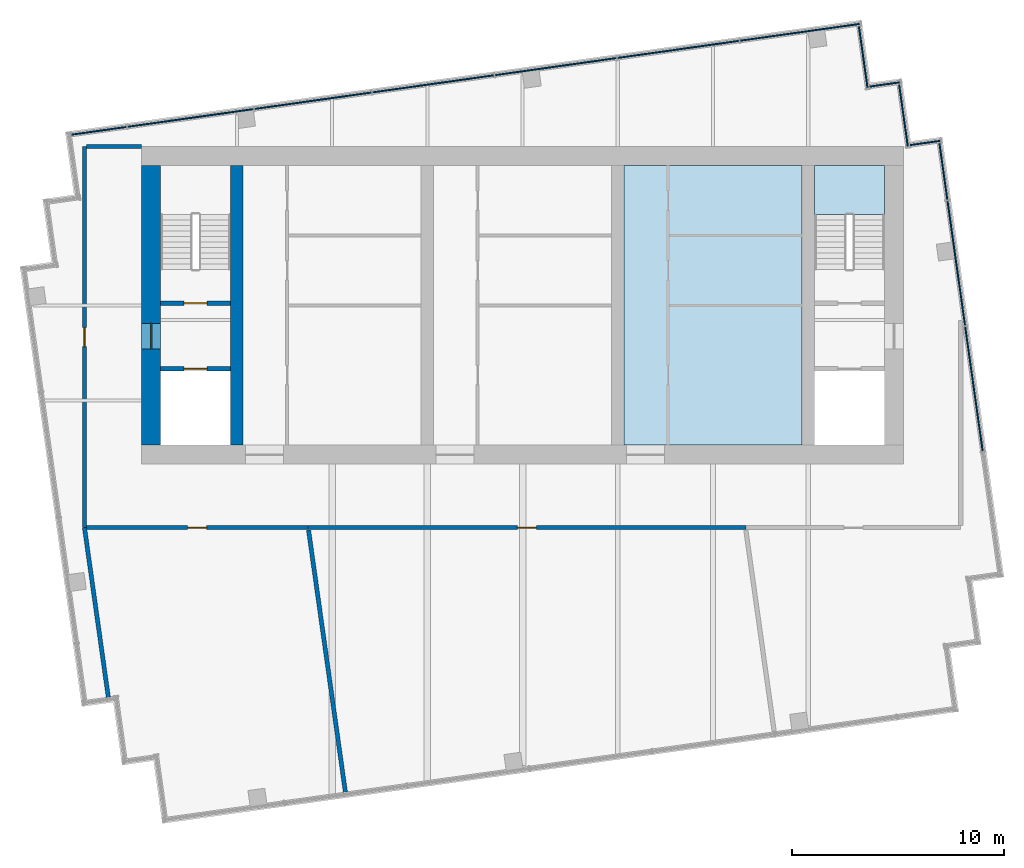
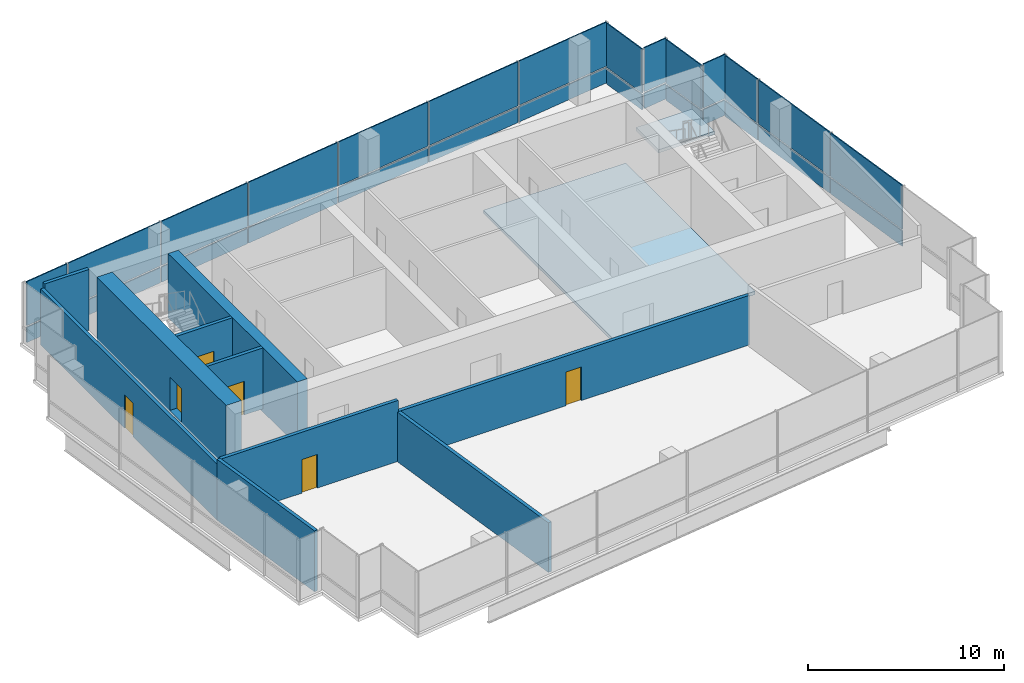
# One storey, part 7 of 9: 28 plates, 10 walls, 6 doors, 2 slabs, 6 openings, 7 elements without a shape of their own.
"""IFC4 building model written with IfcOpenShell, lengths in metres."""

from ifc_helpers import new_model, si_unit, direction, frame, frame_2d, origin, origin_2d, place, context, subcontext, project, spatial, polyline, rectangle, outline, extrude, material, layer, layer_set, type_object, element, fill, aggregate, save


model = new_model("IFC4")

# Units and contexts
model_context = context("Model", 3, precision=1e-05, world=origin(), true_north=direction((0.0, 1.0)))
body_context = subcontext(model_context, "Body", "Model", "MODEL_VIEW")
ifc_project = project(units=[si_unit("LENGTHUNIT", "METRE"), si_unit("AREAUNIT", "SQUARE_METRE"), si_unit("VOLUMEUNIT", "CUBIC_METRE"), si_unit("PLANEANGLEUNIT", "RADIAN"), si_unit("MASSUNIT", "GRAM", prefix="KILO")], contexts=[model_context])

# Site, building, storey
site_placement = place(None, origin())
site = spatial("IfcSite", under=ifc_project, at=site_placement, CompositionType="ELEMENT")
building_placement = place(site_placement, origin())
building = spatial("IfcBuilding", under=site, at=building_placement, Name="Rattan Terrace Tower", CompositionType="ELEMENT")
storey_placement = place(building_placement, frame((0.0, 0.0, 304.300048828125)))
storey = spatial("IfcBuildingStorey", under=building, at=storey_placement, Name="C04", CompositionType="ELEMENT", Elevation=304.300048828125)

# Stair, slab
ifc_material_1 = material(Name="Concrete C40/50", Category="concrete")
stair_type = type_object("IfcStairType", Name="Core exit stair 1500", PredefinedType="HALF_TURN_STAIR", material=ifc_material_1)
stair_placement = place(storey_placement, origin())
stair = element("IfcStair", 1, at=stair_placement, inside=storey, type_object=stair_type, Name="C04 exit stair 2", PredefinedType="HALF_TURN_STAIR")
ifc_material_2 = material(Name="Concrete C40/50", Category="concrete")
ifc_layer_1 = layer(ifc_material_2, 0.199951171875)
ifc_layer_set_1 = layer_set([ifc_layer_1], Name="Core exit stair landing")
slab_type_1 = type_object("IfcSlabType", Name="Core exit stair landing", PredefinedType="LANDING", material=ifc_layer_set_1)
slab_1_placement = place(storey_placement, frame((0.0, 0.0, 1.800048828125)))
slab_1 = element("IfcSlab", 2, at=slab_1_placement, type_object=slab_type_1, Name="S2 landing 1", PredefinedType="LANDING", context=body_context, shape_type="SweptSolid", body=[
    extrude(outline(polyline([(17.10009765625, 4.300048828125), (17.10009765625, 6.60009765625), (13.800048828125, 6.60009765625), (13.800048828125, 4.300048828125), (17.10009765625, 4.300048828125)])), origin(), (0.0, 0.0, 1.0), 0.199951171875),
])
aggregate(stair, [slab_1])

# Slab
ifc_material_3 = material(Name="Concrete C35/45", Category="concrete")
ifc_layer_2 = layer(ifc_material_3, 0.199951171875)
ifc_layer_set_2 = layer_set([ifc_layer_2], Name="Frame composite floor slab 200")
slab_type_2 = type_object("IfcSlabType", Name="Frame composite floor slab 200", PredefinedType="FLOOR", material=ifc_layer_set_2)
slab_2_placement = place(storey_placement, frame((0.0, 0.0, -0.199951171875)))
element("IfcSlab", 3, at=slab_2_placement, inside=storey, type_object=slab_type_2, Name="Floor slab", PredefinedType="FLOOR", context=body_context, shape_type="SweptSolid", body=[
    extrude(outline(polyline([(4.800048828125, -6.60009765625), (13.199951171875, -6.60009765625), (13.199951171875, 6.60009765625), (4.800048828125, 6.60009765625), (4.800048828125, -6.60009765625)])), origin(), (0.0, 0.0, 1.0), 0.199951171875),
])

# Curtain wall, plates
ifc_material_4 = material(Name="Aluminium and laminated glass", Category="aluminium")
ifc_layer_3 = layer(ifc_material_4, 0.239990234375)
ifc_layer_set_3 = layer_set([ifc_layer_3], Name="Lantern Stick Curtain Wall")
curtain_wall_type = type_object("IfcCurtainWallType", Name="Lantern Stick Curtain Wall", PredefinedType="NOTDEFINED", material=ifc_layer_set_3)
curtain_wall_1_placement = place(storey_placement, origin())
curtain_wall_1 = element("IfcCurtainWall", 4, at=curtain_wall_1_placement, inside=storey, type_object=curtain_wall_type, Name="Lantern curtain wall C04-11", PredefinedType="NOTDEFINED")
ifc_material_5 = material(Name="Laminated low-iron glass", Category="glass")
ifc_layer_4 = layer(ifc_material_5, 0.06591796875)
ifc_layer_set_4 = layer_set([ifc_layer_4], Name="Lantern CW Laminated Panel")
plate_type = type_object("IfcPlateType", Name="Lantern CW Laminated Panel", PredefinedType="CURTAIN_PANEL", material=ifc_layer_set_4)
plate_1_placement = place(storey_placement, frame((21.325927734375, -3.9482421875, 0.0), z_axis=(0.0, 0.0, 1.0), x_axis=(-0.139187707455, 0.990266015823, 0.0)))
plate_1 = element("IfcPlate", 5, at=plate_1_placement, type_object=plate_type, Name="Panel cwl-C04-011.2.1", PredefinedType="CURTAIN_PANEL", context=body_context, shape_type="SweptSolid", body=[
    extrude(rectangle(XDim=5.929931640625, YDim=0.06591796875, at=origin_2d()), origin(), (0.0, 0.0, 1.0), 0.949951171875),
])
plate_2_placement = place(storey_placement, frame((21.325927734375, -3.9482421875, 1.050048828125), z_axis=(0.0, 0.0, 1.0), x_axis=(-0.139187707455, 0.990266015823, 0.0)))
plate_2 = element("IfcPlate", 6, at=plate_2_placement, type_object=plate_type, Name="Panel cwl-C04-011.2.2", PredefinedType="CURTAIN_PANEL", context=body_context, shape_type="SweptSolid", body=[
    extrude(rectangle(XDim=5.929931640625, YDim=0.06591796875, at=origin_2d()), origin(), (0.0, 0.0, 1.0), 2.75),
])
plate_3_placement = place(storey_placement, frame((20.49072265625, 1.993408203125, 0.0), z_axis=(0.0, 0.0, 1.0), x_axis=(-0.139187707455, 0.990266015823, 0.0)))
plate_3 = element("IfcPlate", 7, at=plate_3_placement, type_object=plate_type, Name="Panel cwl-C04-011.3.1", PredefinedType="CURTAIN_PANEL", context=body_context, shape_type="SweptSolid", body=[
    extrude(rectangle(XDim=5.929931640625, YDim=0.06591796875, at=origin_2d()), origin(), (0.0, 0.0, 1.0), 0.949951171875),
])
plate_4_placement = place(storey_placement, frame((20.49072265625, 1.993408203125, 1.050048828125), z_axis=(0.0, 0.0, 1.0), x_axis=(-0.139187707455, 0.990266015823, 0.0)))
plate_4 = element("IfcPlate", 8, at=plate_4_placement, type_object=plate_type, Name="Panel cwl-C04-011.3.2", PredefinedType="CURTAIN_PANEL", context=body_context, shape_type="SweptSolid", body=[
    extrude(rectangle(XDim=5.929931640625, YDim=0.06591796875, at=origin_2d()), origin(), (0.0, 0.0, 1.0), 2.75),
])
plate_5_placement = place(storey_placement, frame((19.88232421875, 6.323486328125, 0.0), z_axis=(0.0, 0.0, 1.0), x_axis=(-0.139187707455, 0.990266015823, 0.0)))
plate_5 = element("IfcPlate", 9, at=plate_5_placement, type_object=plate_type, Name="Panel cwl-C04-011.4.1", PredefinedType="CURTAIN_PANEL", context=body_context, shape_type="SweptSolid", body=[
    extrude(rectangle(XDim=2.67529296875, YDim=0.06591796875, at=origin_2d()), origin(), (0.0, 0.0, 1.0), 0.949951171875),
])
plate_6_placement = place(storey_placement, frame((19.88232421875, 6.323486328125, 1.050048828125), z_axis=(0.0, 0.0, 1.0), x_axis=(-0.139187707455, 0.990266015823, 0.0)))
plate_6 = element("IfcPlate", 10, at=plate_6_placement, type_object=plate_type, Name="Panel cwl-C04-011.4.2", PredefinedType="CURTAIN_PANEL", context=body_context, shape_type="SweptSolid", body=[
    extrude(rectangle(XDim=2.67529296875, YDim=0.06591796875, at=origin_2d()), origin(), (0.0, 0.0, 1.0), 2.75),
])
aggregate(curtain_wall_1, [plate_1, plate_2, plate_3, plate_4, plate_5, plate_6])

curtain_wall_2_placement = place(storey_placement, origin())
curtain_wall_2 = element("IfcCurtainWall", 11, at=curtain_wall_2_placement, inside=storey, type_object=curtain_wall_type, Name="Lantern curtain wall C04-12", PredefinedType="NOTDEFINED")
plate_7_placement = place(storey_placement, frame((19.021484375, 7.67431640625, 0.0), z_axis=(0.0, 0.0, 1.0), x_axis=(-0.990227803001, -0.139459306479, 0.0)))
plate_7 = element("IfcPlate", 12, at=plate_7_placement, type_object=plate_type, Name="Panel cwl-C04-012.1.1", PredefinedType="CURTAIN_PANEL", context=body_context, shape_type="SweptSolid", body=[
    extrude(rectangle(XDim=1.428466796875, YDim=0.06591796875, at=origin_2d()), origin(), (0.0, 0.0, 1.0), 0.949951171875),
])
plate_8_placement = place(storey_placement, frame((19.021484375, 7.67431640625, 1.050048828125), z_axis=(0.0, 0.0, 1.0), x_axis=(-0.990227803001, -0.139459306479, 0.0)))
plate_8 = element("IfcPlate", 13, at=plate_8_placement, type_object=plate_type, Name="Panel cwl-C04-012.1.2", PredefinedType="CURTAIN_PANEL", context=body_context, shape_type="SweptSolid", body=[
    extrude(rectangle(XDim=1.428466796875, YDim=0.06591796875, at=origin_2d()), origin(), (0.0, 0.0, 1.0), 2.75),
])
aggregate(curtain_wall_2, [plate_7, plate_8])

curtain_wall_3_placement = place(storey_placement, origin())
curtain_wall_3 = element("IfcCurtainWall", 14, at=curtain_wall_3_placement, inside=storey, type_object=curtain_wall_type, Name="Lantern curtain wall C04-13", PredefinedType="NOTDEFINED")
plate_9_placement = place(storey_placement, frame((17.997802734375, 8.96044921875, 0.0), z_axis=(0.0, 0.0, 1.0), x_axis=(-0.139555918709, 0.990214191755, 0.0)))
plate_9 = element("IfcPlate", 15, at=plate_9_placement, type_object=plate_type, Name="Panel cwl-C04-013.1.1", PredefinedType="CURTAIN_PANEL", context=body_context, shape_type="SweptSolid", body=[
    extrude(rectangle(XDim=2.932373046875, YDim=0.06591796875, at=origin_2d()), origin(), (0.0, 0.0, 1.0), 0.949951171875),
])
plate_10_placement = place(storey_placement, frame((17.997802734375, 8.96044921875, 1.050048828125), z_axis=(0.0, 0.0, 1.0), x_axis=(-0.139555918709, 0.990214191755, 0.0)))
plate_10 = element("IfcPlate", 16, at=plate_10_placement, type_object=plate_type, Name="Panel cwl-C04-013.1.2", PredefinedType="CURTAIN_PANEL", context=body_context, shape_type="SweptSolid", body=[
    extrude(rectangle(XDim=2.932373046875, YDim=0.06591796875, at=origin_2d()), origin(), (0.0, 0.0, 1.0), 2.75),
])
aggregate(curtain_wall_3, [plate_9, plate_10])

curtain_wall_4_placement = place(storey_placement, origin())
curtain_wall_4 = element("IfcCurtainWall", 17, at=curtain_wall_4_placement, inside=storey, type_object=curtain_wall_type, Name="Lantern curtain wall C04-14", PredefinedType="NOTDEFINED")
plate_11_placement = place(storey_placement, frame((17.11865234375, 10.43896484375, 0.0), z_axis=(0.0, 0.0, 1.0), x_axis=(-0.990319742912, -0.13880492354, 0.0)))
plate_11 = element("IfcPlate", 18, at=plate_11_placement, type_object=plate_type, Name="Panel cwl-C04-014.1.1", PredefinedType="CURTAIN_PANEL", context=body_context, shape_type="SweptSolid", body=[
    extrude(rectangle(XDim=1.428466796875, YDim=0.06591796875, at=origin_2d()), origin(), (0.0, 0.0, 1.0), 0.949951171875),
])
plate_12_placement = place(storey_placement, frame((17.11865234375, 10.43896484375, 1.050048828125), z_axis=(0.0, 0.0, 1.0), x_axis=(-0.990319742912, -0.13880492354, 0.0)))
plate_12 = element("IfcPlate", 19, at=plate_12_placement, type_object=plate_type, Name="Panel cwl-C04-014.1.2", PredefinedType="CURTAIN_PANEL", context=body_context, shape_type="SweptSolid", body=[
    extrude(rectangle(XDim=1.428466796875, YDim=0.06591796875, at=origin_2d()), origin(), (0.0, 0.0, 1.0), 2.75),
])
aggregate(curtain_wall_4, [plate_11, plate_12])

curtain_wall_5_placement = place(storey_placement, origin())
curtain_wall_5 = element("IfcCurtainWall", 20, at=curtain_wall_5_placement, inside=storey, type_object=curtain_wall_type, Name="Lantern curtain wall C04-15", PredefinedType="NOTDEFINED")
plate_13_placement = place(storey_placement, frame((16.09521484375, 11.723388671875, 0.0), z_axis=(0.0, 0.0, 1.0), x_axis=(-0.139413247769, 0.990234288614, 0.0)))
plate_13 = element("IfcPlate", 21, at=plate_13_placement, type_object=plate_type, Name="Panel cwl-C04-015.1.1", PredefinedType="CURTAIN_PANEL", context=body_context, shape_type="SweptSolid", body=[
    extrude(rectangle(XDim=2.92822265625, YDim=0.06591796875, at=origin_2d()), origin(), (0.0, 0.0, 1.0), 0.949951171875),
])
plate_14_placement = place(storey_placement, frame((16.09521484375, 11.723388671875, 1.050048828125), z_axis=(0.0, 0.0, 1.0), x_axis=(-0.139413247769, 0.990234288614, 0.0)))
plate_14 = element("IfcPlate", 22, at=plate_14_placement, type_object=plate_type, Name="Panel cwl-C04-015.1.2", PredefinedType="CURTAIN_PANEL", context=body_context, shape_type="SweptSolid", body=[
    extrude(rectangle(XDim=2.92822265625, YDim=0.06591796875, at=origin_2d()), origin(), (0.0, 0.0, 1.0), 2.75),
])
aggregate(curtain_wall_5, [plate_13, plate_14])

curtain_wall_6_placement = place(storey_placement, origin())
curtain_wall_6 = element("IfcCurtainWall", 23, at=curtain_wall_6_placement, inside=storey, type_object=curtain_wall_type, Name="Lantern curtain wall C04-16", PredefinedType="NOTDEFINED")
plate_15_placement = place(storey_placement, frame((13.10595703125, 12.90283203125, 0.0), z_axis=(0.0, 0.0, 1.0), x_axis=(-0.990266952226, -0.13918104515, 0.0)))
plate_15 = element("IfcPlate", 24, at=plate_15_placement, type_object=plate_type, Name="Panel cwl-C04-016.1.1", PredefinedType="CURTAIN_PANEL", context=body_context, shape_type="SweptSolid", body=[
    extrude(rectangle(XDim=5.69091796875, YDim=0.06591796875, at=origin_2d()), origin(), (0.0, 0.0, 1.0), 0.949951171875),
])
plate_16_placement = place(storey_placement, frame((13.10595703125, 12.90283203125, 1.050048828125), z_axis=(0.0, 0.0, 1.0), x_axis=(-0.990266952226, -0.13918104515, 0.0)))
plate_16 = element("IfcPlate", 25, at=plate_16_placement, type_object=plate_type, Name="Panel cwl-C04-016.1.2", PredefinedType="CURTAIN_PANEL", context=body_context, shape_type="SweptSolid", body=[
    extrude(rectangle(XDim=5.69091796875, YDim=0.06591796875, at=origin_2d()), origin(), (0.0, 0.0, 1.0), 2.75),
])
plate_17_placement = place(storey_placement, frame((7.359130859375, 12.09521484375, 0.0), z_axis=(0.0, 0.0, 1.0), x_axis=(-0.990266952226, -0.13918104515, 0.0)))
plate_17 = element("IfcPlate", 26, at=plate_17_placement, type_object=plate_type, Name="Panel cwl-C04-016.2.1", PredefinedType="CURTAIN_PANEL", context=body_context, shape_type="SweptSolid", body=[
    extrude(rectangle(XDim=5.77587890625, YDim=0.06591796875, at=origin_2d()), origin(), (0.0, 0.0, 1.0), 0.949951171875),
])
plate_18_placement = place(storey_placement, frame((7.359130859375, 12.09521484375, 1.050048828125), z_axis=(0.0, 0.0, 1.0), x_axis=(-0.990266952226, -0.13918104515, 0.0)))
plate_18 = element("IfcPlate", 27, at=plate_18_placement, type_object=plate_type, Name="Panel cwl-C04-016.2.2", PredefinedType="CURTAIN_PANEL", context=body_context, shape_type="SweptSolid", body=[
    extrude(rectangle(XDim=5.77587890625, YDim=0.06591796875, at=origin_2d()), origin(), (0.0, 0.0, 1.0), 2.75),
])
plate_19_placement = place(storey_placement, frame((1.570068359375, 11.281494140625, 0.0), z_axis=(0.0, 0.0, 1.0), x_axis=(-0.990266952226, -0.13918104515, 0.0)))
plate_19 = element("IfcPlate", 28, at=plate_19_placement, type_object=plate_type, Name="Panel cwl-C04-016.3.1", PredefinedType="CURTAIN_PANEL", context=body_context, shape_type="SweptSolid", body=[
    extrude(rectangle(XDim=5.77587890625, YDim=0.06591796875, at=origin_2d()), origin(), (0.0, 0.0, 1.0), 0.949951171875),
])
plate_20_placement = place(storey_placement, frame((1.570068359375, 11.281494140625, 1.050048828125), z_axis=(0.0, 0.0, 1.0), x_axis=(-0.990266952226, -0.13918104515, 0.0)))
plate_20 = element("IfcPlate", 29, at=plate_20_placement, type_object=plate_type, Name="Panel cwl-C04-016.3.2", PredefinedType="CURTAIN_PANEL", context=body_context, shape_type="SweptSolid", body=[
    extrude(rectangle(XDim=5.77587890625, YDim=0.06591796875, at=origin_2d()), origin(), (0.0, 0.0, 1.0), 2.75),
])
plate_21_placement = place(storey_placement, frame((-4.21923828125, 10.4677734375, 0.0), z_axis=(0.0, 0.0, 1.0), x_axis=(-0.990266952226, -0.13918104515, 0.0)))
plate_21 = element("IfcPlate", 30, at=plate_21_placement, type_object=plate_type, Name="Panel cwl-C04-016.4.1", PredefinedType="CURTAIN_PANEL", context=body_context, shape_type="SweptSolid", body=[
    extrude(rectangle(XDim=5.77587890625, YDim=0.06591796875, at=origin_2d()), origin(), (0.0, 0.0, 1.0), 0.949951171875),
])
plate_22_placement = place(storey_placement, frame((-4.21923828125, 10.4677734375, 1.050048828125), z_axis=(0.0, 0.0, 1.0), x_axis=(-0.990266952226, -0.13918104515, 0.0)))
plate_22 = element("IfcPlate", 31, at=plate_22_placement, type_object=plate_type, Name="Panel cwl-C04-016.4.2", PredefinedType="CURTAIN_PANEL", context=body_context, shape_type="SweptSolid", body=[
    extrude(rectangle(XDim=5.77587890625, YDim=0.06591796875, at=origin_2d()), origin(), (0.0, 0.0, 1.0), 2.75),
])
plate_23_placement = place(storey_placement, frame((-9.900634765625, 9.66943359375, 0.0), z_axis=(0.0, 0.0, 1.0), x_axis=(-0.990266952226, -0.13918104515, 0.0)))
plate_23 = element("IfcPlate", 32, at=plate_23_placement, type_object=plate_type, Name="Panel cwl-C04-016.5.1", PredefinedType="CURTAIN_PANEL", context=body_context, shape_type="SweptSolid", body=[
    extrude(rectangle(XDim=5.55859375, YDim=0.06591796875, at=origin_2d()), origin(), (0.0, 0.0, 1.0), 0.949951171875),
])
plate_24_placement = place(storey_placement, frame((-9.900634765625, 9.66943359375, 1.050048828125), z_axis=(0.0, 0.0, 1.0), x_axis=(-0.990266952226, -0.13918104515, 0.0)))
plate_24 = element("IfcPlate", 33, at=plate_24_placement, type_object=plate_type, Name="Panel cwl-C04-016.5.2", PredefinedType="CURTAIN_PANEL", context=body_context, shape_type="SweptSolid", body=[
    extrude(rectangle(XDim=5.55859375, YDim=0.06591796875, at=origin_2d()), origin(), (0.0, 0.0, 1.0), 2.75),
])
plate_25_placement = place(storey_placement, frame((-15.689697265625, 8.855712890625, 0.0), z_axis=(0.0, 0.0, 1.0), x_axis=(-0.990266952226, -0.13918104515, 0.0)))
plate_25 = element("IfcPlate", 34, at=plate_25_placement, type_object=plate_type, Name="Panel cwl-C04-016.6.1", PredefinedType="CURTAIN_PANEL", context=body_context, shape_type="SweptSolid", body=[
    extrude(rectangle(XDim=5.993408203125, YDim=0.06591796875, at=origin_2d()), origin(), (0.0, 0.0, 1.0), 0.949951171875),
])
plate_26_placement = place(storey_placement, frame((-15.689697265625, 8.855712890625, 1.050048828125), z_axis=(0.0, 0.0, 1.0), x_axis=(-0.990266952226, -0.13918104515, 0.0)))
plate_26 = element("IfcPlate", 35, at=plate_26_placement, type_object=plate_type, Name="Panel cwl-C04-016.6.2", PredefinedType="CURTAIN_PANEL", context=body_context, shape_type="SweptSolid", body=[
    extrude(rectangle(XDim=5.993408203125, YDim=0.06591796875, at=origin_2d()), origin(), (0.0, 0.0, 1.0), 2.75),
])
plate_27_placement = place(storey_placement, frame((-20.013916015625, 8.248046875, 0.0), z_axis=(0.0, 0.0, 1.0), x_axis=(-0.990266952226, -0.13918104515, 0.0)))
plate_27 = element("IfcPlate", 36, at=plate_27_placement, type_object=plate_type, Name="Panel cwl-C04-016.7.1", PredefinedType="CURTAIN_PANEL", context=body_context, shape_type="SweptSolid", body=[
    extrude(rectangle(XDim=2.599853515625, YDim=0.06591796875, at=origin_2d()), origin(), (0.0, 0.0, 1.0), 0.949951171875),
])
plate_28_placement = place(storey_placement, frame((-20.013916015625, 8.248046875, 1.050048828125), z_axis=(0.0, 0.0, 1.0), x_axis=(-0.990266952226, -0.13918104515, 0.0)))
plate_28 = element("IfcPlate", 37, at=plate_28_placement, type_object=plate_type, Name="Panel cwl-C04-016.7.2", PredefinedType="CURTAIN_PANEL", context=body_context, shape_type="SweptSolid", body=[
    extrude(rectangle(XDim=2.599853515625, YDim=0.06591796875, at=origin_2d()), origin(), (0.0, 0.0, 1.0), 2.75),
])
aggregate(curtain_wall_6, [plate_15, plate_16, plate_17, plate_18, plate_19, plate_20, plate_21, plate_22, plate_23, plate_24, plate_25, plate_26, plate_27, plate_28])

# Wall, opening, door
ifc_material_6 = material(Name="Gypsum board partition")
ifc_layer_5 = layer(ifc_material_6, 0.199951171875)
ifc_layer_set_5 = layer_set([ifc_layer_5], Name="Core partition 200")
wall_type_1 = type_object("IfcWallType", Name="Core partition 200", PredefinedType="PARTITIONING", material=ifc_layer_set_5)
wall_1_placement = place(storey_placement, frame((-17.10009765625, -3.0, 0.0), z_axis=(0.0, 0.0, 1.0), x_axis=(1.0, 0.0, 0.0)))
wall_1 = element("IfcWall", 38, at=wall_1_placement, inside=storey, type_object=wall_type_1, Name="Fire-fighting lobby wall", PredefinedType="PARTITIONING", context=body_context, shape_type="SweptSolid", body=[
    extrude(rectangle(XDim=3.300048828125, YDim=0.199951171875, at=frame_2d((1.64990234375, 0.0))), origin(), (0.0, 0.0, 1.0), 3.800048828125),
])
opening_1_placement = place(wall_1_placement, frame((1.10009765625, 0.0, 0.0)))
opening_1 = element("IfcOpeningElement", 39, at=opening_1_placement, cuts=wall_1, Name="Opening C04-LD-FF1", PredefinedType="OPENING", context=body_context, shape_type="SweptSolid", body=[
    extrude(rectangle(XDim=1.10009765625, YDim=2.10009765625, at=frame_2d((0.550048828125, 1.050048828125))), frame((0.0, 0.110595703125, 0.0), z_axis=(0.0, -1.0, 0.0), x_axis=(1.0, 0.0, 0.0)), (0.0, 0.0, 1.0), 0.220947265625),
])
ifc_material_7 = material(Name="Brushed stainless landing door panel")
door_type_1 = type_object("IfcDoorType", Name="Core lift landing door 1100", OperationType="DOUBLE_DOOR_SLIDING", PredefinedType="DOOR", material=ifc_material_7)
door_1_placement = place(opening_1_placement, origin())
door_1 = element("IfcDoor", 40, at=door_1_placement, inside=storey, type_object=door_type_1, Name="Door C04-LD-FF1", OperationType="DOUBLE_DOOR_SLIDING", OverallHeight=2.10009765625, OverallWidth=1.10009765625, PredefinedType="DOOR", context=body_context, shape_type="SweptSolid", body=[
    extrude(rectangle(XDim=1.10009765625, YDim=2.10009765625, at=frame_2d((0.550048828125, 1.050048828125))), frame((0.0, 0.02490234375, 0.0), z_axis=(0.0, -1.0, 0.0), x_axis=(1.0, 0.0, 0.0)), (0.0, 0.0, 1.0), 0.050048828125),
])
fill(opening_1, door_1)

wall_2_placement = place(storey_placement, frame((-17.10009765625, 0.10009765625, 0.0), z_axis=(0.0, 0.0, 1.0), x_axis=(1.0, 0.0, 0.0)))
wall_2 = element("IfcWall", 41, at=wall_2_placement, inside=storey, type_object=wall_type_1, Name="Stair enclosure wall", PredefinedType="PARTITIONING", context=body_context, shape_type="SweptSolid", body=[
    extrude(rectangle(XDim=3.300048828125, YDim=0.199951171875, at=frame_2d((1.64990234375, 0.0))), origin(), (0.0, 0.0, 1.0), 3.800048828125),
])
opening_2_placement = place(wall_2_placement, frame((1.10009765625, 0.0, 0.0)))
opening_2 = element("IfcOpeningElement", 42, at=opening_2_placement, cuts=wall_2, Name="Opening C04-D002", PredefinedType="OPENING", context=body_context, shape_type="SweptSolid", body=[
    extrude(rectangle(XDim=1.10009765625, YDim=2.10009765625, at=frame_2d((0.550048828125, 1.050048828125))), frame((0.0, 0.110595703125, 0.0), z_axis=(0.0, -1.0, 0.0), x_axis=(1.0, 0.0, 0.0)), (0.0, 0.0, 1.0), 0.220947265625),
])
ifc_material_8 = material(Name="Hollow-metal fire door leaf")
door_type_2 = type_object("IfcDoorType", Name="Core stair door 1100", OperationType="NOTDEFINED", PredefinedType="DOOR", material=ifc_material_8)
door_2_placement = place(opening_2_placement, origin())
door_2 = element("IfcDoor", 43, at=door_2_placement, inside=storey, type_object=door_type_2, Name="Door C04-D002", OperationType="SINGLE_SWING_LEFT", OverallHeight=2.10009765625, OverallWidth=1.10009765625, PredefinedType="DOOR", context=body_context, shape_type="SweptSolid", body=[
    extrude(rectangle(XDim=1.10009765625, YDim=2.10009765625, at=frame_2d((0.550048828125, 1.050048828125))), frame((0.0, 0.02490234375, 0.0), z_axis=(0.0, -1.0, 0.0), x_axis=(1.0, 0.0, 0.0)), (0.0, 0.0, 1.0), 0.050048828125),
])
fill(opening_2, door_2)

ifc_material_9 = material(Name="Concrete C50/60", Category="concrete")
ifc_layer_6 = layer(ifc_material_9, 0.89990234375)
ifc_layer_set_6 = layer_set([ifc_layer_6], Name="Core ring wall 900 C50/60")
wall_type_2 = type_object("IfcWallType", Name="Core ring wall 900 C50/60", PredefinedType="SHEAR", material=ifc_layer_set_6)
wall_3_placement = place(storey_placement, frame((-17.550048828125, -6.60009765625, -0.199951171875), z_axis=(0.0, 0.0, 1.0), x_axis=(0.0, 1.0, 0.0)))
wall_3 = element("IfcWall", 44, at=wall_3_placement, inside=storey, type_object=wall_type_2, Name="Rear core wall west", PredefinedType="SHEAR", context=body_context, shape_type="SweptSolid", body=[
    extrude(rectangle(XDim=13.2001953125, YDim=0.89990234375, at=frame_2d((6.60009765625, 0.0))), origin(), (0.0, 0.0, 1.0), 4.0),
])
opening_3_placement = place(wall_3_placement, frame((4.550048828125, 0.0, 0.199951171875)))
opening_3 = element("IfcOpeningElement", 45, at=opening_3_placement, cuts=wall_3, Name="Opening C04-D001", PredefinedType="OPENING", context=body_context, shape_type="SweptSolid", body=[
    extrude(rectangle(XDim=1.199951171875, YDim=2.10009765625, at=frame_2d((0.60009765625, 1.050048828125))), frame((0.0, 0.46044921875, 0.0), z_axis=(0.0, -1.0, 0.0), x_axis=(1.0, 0.0, 0.0)), (0.0, 0.0, 1.0), 0.9208984375),
])
ifc_material_10 = material(Name="Hollow-metal fire door leaf")
door_type_3 = type_object("IfcDoorType", Name="Core fire-fighting lobby door 1200", OperationType="NOTDEFINED", PredefinedType="DOOR", material=ifc_material_10)
door_3_placement = place(opening_3_placement, origin())
door_3 = element("IfcDoor", 46, at=door_3_placement, inside=storey, type_object=door_type_3, Name="Door C04-D001", OperationType="SINGLE_SWING_RIGHT", OverallHeight=2.10009765625, OverallWidth=1.199951171875, PredefinedType="DOOR", context=body_context, shape_type="SweptSolid", body=[
    extrude(rectangle(XDim=1.199951171875, YDim=2.10009765625, at=frame_2d((0.60009765625, 1.050048828125))), frame((0.0, 0.02490234375, 0.0), z_axis=(0.0, -1.0, 0.0), x_axis=(1.0, 0.0, 0.0)), (0.0, 0.0, 1.0), 0.050048828125),
])
fill(opening_3, door_3)

# Wall
ifc_material_11 = material(Name="Concrete C50/60", Category="concrete")
ifc_layer_7 = layer(ifc_material_11, 0.60009765625)
ifc_layer_set_7 = layer_set([ifc_layer_7], Name="Core spine wall 600 C50/60")
wall_type_3 = type_object("IfcWallType", Name="Core spine wall 600 C50/60", PredefinedType="SHEAR", material=ifc_layer_set_7)
wall_4_placement = place(storey_placement, frame((-13.5, -6.60009765625, -0.199951171875), z_axis=(0.0, 0.0, 1.0), x_axis=(0.0, 1.0, 0.0)))
element("IfcWall", 47, at=wall_4_placement, inside=storey, type_object=wall_type_3, Name="Core spine wall 1", PredefinedType="SHEAR", context=body_context, shape_type="SweptSolid", body=[
    extrude(rectangle(XDim=13.2001953125, YDim=0.60009765625, at=frame_2d((6.60009765625, 0.0))), origin(), (0.0, 0.0, 1.0), 4.0),
])

# Wall, opening, door
ifc_material_12 = material(Name="Concrete block wall, plastered", Category="concrete")
ifc_layer_8 = layer(ifc_material_12, 0.199951171875)
ifc_layer_set_8 = layer_set([ifc_layer_8], Name="Floors Plant Wall 200")
wall_type_4 = type_object("IfcWallType", Name="Floors Plant Wall 200", PredefinedType="PARTITIONING", material=ifc_layer_set_8)
wall_5_placement = place(storey_placement, frame((-10.14892578125, -10.5, 0.0), z_axis=(0.0, 0.0, 1.0), x_axis=(-1.0, 0.0, 0.0)))
wall_5 = element("IfcWall", 48, at=wall_5_placement, inside=storey, type_object=wall_type_4, Name="pt-C04-001", PredefinedType="PARTITIONING", context=body_context, shape_type="SweptSolid", body=[
    extrude(rectangle(XDim=10.451171875, YDim=0.199951171875, at=frame_2d((5.2255859375, 0.0))), origin(), (0.0, 0.0, 1.0), 3.800048828125),
])
opening_4_placement = place(wall_5_placement, frame((4.77587890625, 0.0, 0.0)))
opening_4 = element("IfcOpeningElement", 49, at=opening_4_placement, cuts=wall_5, Name="Opening C04-D100", PredefinedType="OPENING", context=body_context, shape_type="SweptSolid", body=[
    extrude(rectangle(XDim=0.89990234375, YDim=2.10009765625, at=frame_2d((0.449951171875, 1.050048828125))), frame((0.0, 0.110595703125, 0.0), z_axis=(0.0, -1.0, 0.0), x_axis=(1.0, 0.0, 0.0)), (0.0, 0.0, 1.0), 0.220947265625),
])
ifc_material_13 = material(Name="Steel fire door set", Category="steel")
door_type_4 = type_object("IfcDoorType", Name="Floors Fire Door FD60 900x2100", OperationType="NOTDEFINED", PredefinedType="DOOR", material=ifc_material_13)
door_4_placement = place(opening_4_placement, origin())
door_4 = element("IfcDoor", 50, at=door_4_placement, inside=storey, type_object=door_type_4, Name="d-C04-100", OperationType="SINGLE_SWING_LEFT", OverallHeight=2.10009765625, OverallWidth=0.89990234375, PredefinedType="DOOR", context=body_context, shape_type="SweptSolid", body=[
    extrude(rectangle(XDim=0.89990234375, YDim=2.10009765625, at=frame_2d((0.449951171875, 1.050048828125))), frame((0.0, 0.02490234375, 0.0), z_axis=(0.0, -1.0, 0.0), x_axis=(1.0, 0.0, 0.0)), (0.0, 0.0, 1.0), 0.050048828125),
])
fill(opening_4, door_4)

wall_6_placement = place(storey_placement, frame((10.553955078125, -10.5, 0.0), z_axis=(0.0, 0.0, 1.0), x_axis=(-1.0, 0.0, 0.0)))
wall_6 = element("IfcWall", 51, at=wall_6_placement, inside=storey, type_object=wall_type_4, Name="pt-C04-002", PredefinedType="PARTITIONING", context=body_context, shape_type="SweptSolid", body=[
    extrude(rectangle(XDim=20.702880859375, YDim=0.199951171875, at=frame_2d((10.3515625, 0.0))), origin(), (0.0, 0.0, 1.0), 3.099853515625),
])
opening_5_placement = place(wall_6_placement, frame((9.902099609375, 0.0, 0.0)))
opening_5 = element("IfcOpeningElement", 52, at=opening_5_placement, cuts=wall_6, Name="Opening C04-D101", PredefinedType="OPENING", context=body_context, shape_type="SweptSolid", body=[
    extrude(rectangle(XDim=0.89990234375, YDim=2.10009765625, at=frame_2d((0.449951171875, 1.050048828125))), frame((0.0, 0.110595703125, 0.0), z_axis=(0.0, -1.0, 0.0), x_axis=(1.0, 0.0, 0.0)), (0.0, 0.0, 1.0), 0.220947265625),
])
door_5_placement = place(opening_5_placement, origin())
door_5 = element("IfcDoor", 53, at=door_5_placement, inside=storey, type_object=door_type_4, Name="d-C04-101", OperationType="SINGLE_SWING_RIGHT", OverallHeight=2.10009765625, OverallWidth=0.89990234375, PredefinedType="DOOR", context=body_context, shape_type="SweptSolid", body=[
    extrude(rectangle(XDim=0.89990234375, YDim=2.10009765625, at=frame_2d((0.449951171875, 1.050048828125))), frame((0.0, 0.02490234375, 0.0), z_axis=(0.0, -1.0, 0.0), x_axis=(1.0, 0.0, 0.0)), (0.0, 0.0, 1.0), 0.050048828125),
])
fill(opening_5, door_5)

wall_7_placement = place(storey_placement, frame((-20.699951171875, -10.5, 0.0), z_axis=(0.0, 0.0, 1.0), x_axis=(0.0, 1.0, 0.0)))
wall_7 = element("IfcWall", 54, at=wall_7_placement, inside=storey, type_object=wall_type_4, Name="pt-C04-005", PredefinedType="PARTITIONING", context=body_context, shape_type="SweptSolid", body=[
    extrude(rectangle(XDim=18.0, YDim=0.199951171875, at=frame_2d((9.0, 0.0))), origin(), (0.0, 0.0, 1.0), 3.5),
])
opening_6_placement = place(wall_7_placement, frame((8.550048828125, 0.0, 0.0)))
opening_6 = element("IfcOpeningElement", 55, at=opening_6_placement, cuts=wall_7, Name="Opening C04-D103", PredefinedType="OPENING", context=body_context, shape_type="SweptSolid", body=[
    extrude(rectangle(XDim=0.89990234375, YDim=2.10009765625, at=frame_2d((0.449951171875, 1.050048828125))), frame((0.0, 0.110595703125, 0.0), z_axis=(0.0, -1.0, 0.0), x_axis=(1.0, 0.0, 0.0)), (0.0, 0.0, 1.0), 0.220947265625),
])
door_6_placement = place(opening_6_placement, origin())
door_6 = element("IfcDoor", 56, at=door_6_placement, inside=storey, type_object=door_type_4, Name="d-C04-103", OperationType="SINGLE_SWING_RIGHT", OverallHeight=2.10009765625, OverallWidth=0.89990234375, PredefinedType="DOOR", context=body_context, shape_type="SweptSolid", body=[
    extrude(rectangle(XDim=0.89990234375, YDim=2.10009765625, at=frame_2d((0.449951171875, 1.050048828125))), frame((0.0, 0.02490234375, 0.0), z_axis=(0.0, -1.0, 0.0), x_axis=(1.0, 0.0, 0.0)), (0.0, 0.0, 1.0), 0.050048828125),
])
fill(opening_6, door_6)

# Walls
wall_8_placement = place(storey_placement, frame((-20.60009765625, 7.5009765625, 0.0), z_axis=(0.0, 0.0, 1.0), x_axis=(1.0, 0.0, 0.0)))
element("IfcWall", 57, at=wall_8_placement, inside=storey, type_object=wall_type_4, Name="pt-C04-006", PredefinedType="PARTITIONING", context=body_context, shape_type="SweptSolid", body=[
    extrude(rectangle(XDim=2.60009765625, YDim=0.199951171875, at=frame_2d((1.300048828125, 0.0))), origin(), (0.0, 0.0, 1.0), 3.800048828125),
])
wall_9_placement = place(storey_placement, frame((-10.113037109375, -10.614013671875, 0.0), z_axis=(0.0, 0.0, 1.0), x_axis=(0.139213874613, -0.990262337522, 0.0)))
element("IfcWall", 58, at=wall_9_placement, inside=storey, type_object=wall_type_4, Name="pt-C04-007", PredefinedType="PARTITIONING", context=body_context, shape_type="SweptSolid", body=[
    extrude(rectangle(XDim=12.5126953125, YDim=0.199951171875, at=frame_2d((6.25634765625, 0.0))), origin(), (0.0, 0.0, 1.0), 3.099853515625),
])
wall_10_placement = place(storey_placement, frame((-19.572998046875, -18.52001953125, 0.0), z_axis=(0.0, 0.0, 1.0), x_axis=(-0.13915044451, 0.990271252634, 0.0)))
element("IfcWall", 59, at=wall_10_placement, inside=storey, type_object=wall_type_4, Name="pt-C04-008", PredefinedType="PARTITIONING", context=body_context, shape_type="SweptSolid", body=[
    extrude(rectangle(XDim=8.098876953125, YDim=0.199951171875, at=frame_2d((4.04931640625, 0.0))), origin(), (0.0, 0.0, 1.0), 3.800048828125),
])

save(model, "model.ifc")
